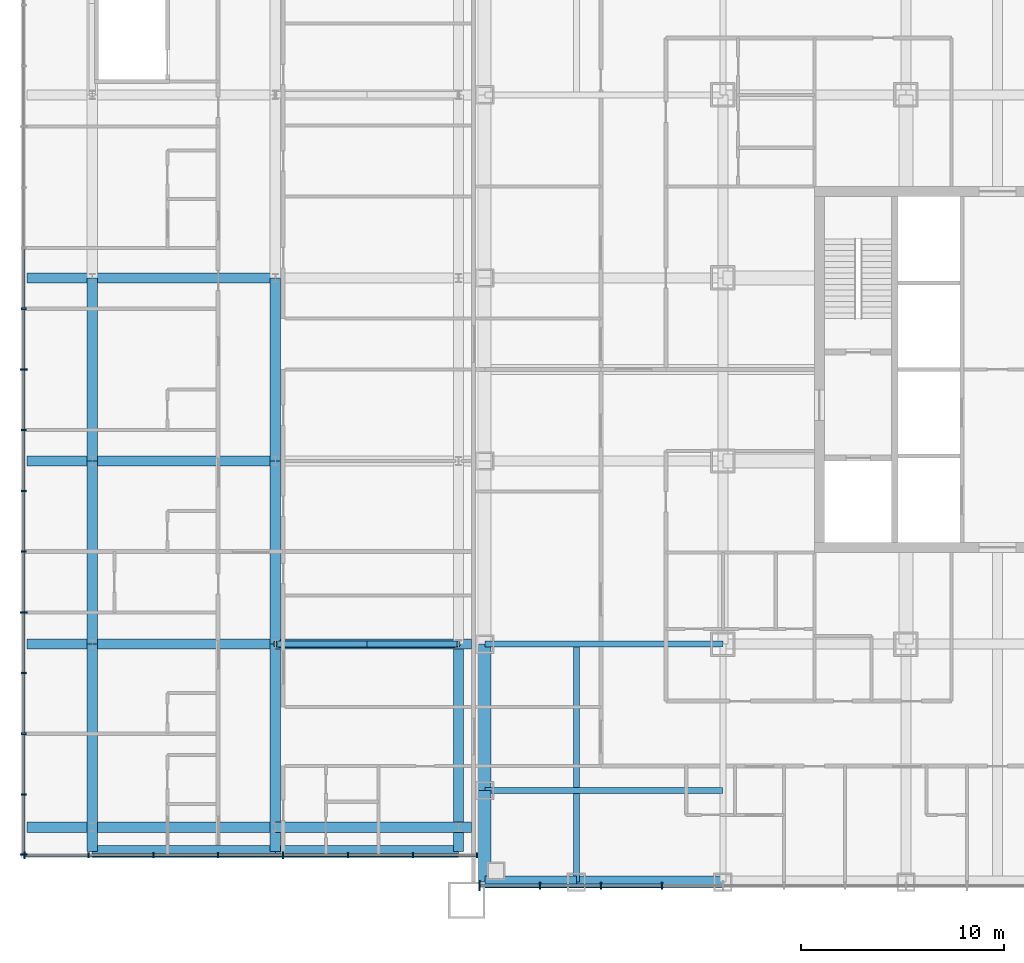
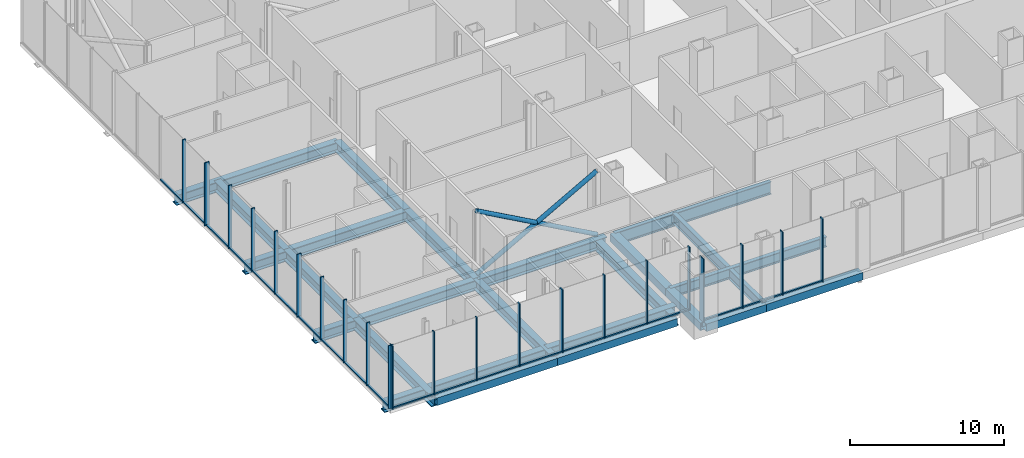
# One storey, part 5 of 28: 44 members, 22 beams, 3 elements without a shape of their own.
"""IFC4 building model written with IfcOpenShell, lengths in metres."""

from ifc_helpers import new_model, si_unit, direction, frame, origin, origin_2d, place, context, subcontext, project, spatial, rectangle, hollow_rectangle, hollow_circle, i_section, extrude, material, layer, layer_set, material_profile, profile_set, type_object, element, aggregate, save


model = new_model("IFC4")

# Units and contexts
model_context = context("Model", 3, precision=1e-05, world=origin(), true_north=direction((0.0, 1.0)))
body_context = subcontext(model_context, "Body", "Model", "MODEL_VIEW")
ifc_project = project(units=[si_unit("LENGTHUNIT", "METRE"), si_unit("AREAUNIT", "SQUARE_METRE"), si_unit("VOLUMEUNIT", "CUBIC_METRE"), si_unit("PLANEANGLEUNIT", "RADIAN"), si_unit("MASSUNIT", "GRAM", prefix="KILO")], contexts=[model_context])

# Site, building, storey
site_placement = place(None, origin())
site = spatial("IfcSite", under=ifc_project, at=site_placement, CompositionType="ELEMENT")
building_placement = place(site_placement, origin())
building = spatial("IfcBuilding", under=site, at=building_placement, Name="Malebo Sky Hospital", CompositionType="ELEMENT")
storey_placement = place(building_placement, frame((0.0, 0.0, 21.0)))
storey = spatial("IfcBuildingStorey", under=building, at=storey_placement, Name="L04", CompositionType="ELEMENT", Elevation=21.0)

# Curtain wall, members
ifc_material_1 = material(Name="Anodised aluminium, natural silver", Category="aluminium")
ifc_layer_1 = layer(ifc_material_1, 0.25)
ifc_layer_set_1 = layer_set([ifc_layer_1], Name="PODIUM CURTAIN WALL")
curtain_wall_type_1 = type_object("IfcCurtainWallType", Name="PODIUM CURTAIN WALL", PredefinedType="NOTDEFINED", material=ifc_layer_set_1)
curtain_wall_1_placement = place(storey_placement, origin())
curtain_wall_1 = element("IfcCurtainWall", 1, at=curtain_wall_1_placement, inside=storey, type_object=curtain_wall_type_1, Name="POD curtain wall WW", PredefinedType="NOTDEFINED")
ifc_material_profile_1 = material_profile(ifc_material_1, rectangle(XDim=0.14990234375, YDim=0.10009765625, at=origin_2d()), Name="ALUMINIUM TRANSOM 150x100")
ifc_profile_set_1 = profile_set([ifc_material_profile_1], Name="Anodised aluminium, natural silver")
member_type_1 = type_object("IfcMemberType", Name="ALUMINIUM TRANSOM 150x100", PredefinedType="USERDEFINED", material=ifc_profile_set_1)
member_1_placement = place(storey_placement, frame((12.125, 67.931396484375, 0.050048828125), z_axis=(0.0, -1.0, 0.0), x_axis=(1.0, 0.0, 0.0)))
member_1 = element("IfcMember", 2, at=member_1_placement, type_object=member_type_1, Name="Transom 7", ObjectType="TRANSOM", PredefinedType="USERDEFINED", context=body_context, shape_type="SweptSolid", body=[
    extrude(rectangle(XDim=0.14990234375, YDim=0.10009765625, at=origin_2d()), origin(), (0.0, 0.0, 1.0), 2.909423828125),
])
member_2_placement = place(storey_placement, frame((12.125, 64.947021484375, 0.050048828125), z_axis=(0.0, -1.0, 0.0), x_axis=(1.0, 0.0, 0.0)))
member_2 = element("IfcMember", 3, at=member_2_placement, type_object=member_type_1, Name="Transom 8", ObjectType="TRANSOM", PredefinedType="USERDEFINED", context=body_context, shape_type="SweptSolid", body=[
    extrude(rectangle(XDim=0.14990234375, YDim=0.10009765625, at=origin_2d()), origin(), (0.0, 0.0, 1.0), 2.909423828125),
])
member_3_placement = place(storey_placement, frame((12.125, 61.96240234375, 0.050048828125), z_axis=(0.0, -1.0, 0.0), x_axis=(1.0, 0.0, 0.0)))
member_3 = element("IfcMember", 4, at=member_3_placement, type_object=member_type_1, Name="Transom 9", ObjectType="TRANSOM", PredefinedType="USERDEFINED", context=body_context, shape_type="SweptSolid", body=[
    extrude(rectangle(XDim=0.14990234375, YDim=0.10009765625, at=origin_2d()), origin(), (0.0, 0.0, 1.0), 2.909423828125),
])
member_4_placement = place(storey_placement, frame((12.125, 58.97802734375, 0.050048828125), z_axis=(0.0, -1.0, 0.0), x_axis=(1.0, 0.0, 0.0)))
member_4 = element("IfcMember", 5, at=member_4_placement, type_object=member_type_1, Name="Transom 10", ObjectType="TRANSOM", PredefinedType="USERDEFINED", context=body_context, shape_type="SweptSolid", body=[
    extrude(rectangle(XDim=0.14990234375, YDim=0.10009765625, at=origin_2d()), origin(), (0.0, 0.0, 1.0), 2.909423828125),
])
member_5_placement = place(storey_placement, frame((12.125, 55.99365234375, 0.050048828125), z_axis=(0.0, -1.0, 0.0), x_axis=(1.0, 0.0, 0.0)))
member_5 = element("IfcMember", 6, at=member_5_placement, type_object=member_type_1, Name="Transom 11", ObjectType="TRANSOM", PredefinedType="USERDEFINED", context=body_context, shape_type="SweptSolid", body=[
    extrude(rectangle(XDim=0.14990234375, YDim=0.10009765625, at=origin_2d()), origin(), (0.0, 0.0, 1.0), 2.9091796875),
])
member_6_placement = place(storey_placement, frame((12.125, 53.009521484375, 0.050048828125), z_axis=(0.0, -1.0, 0.0), x_axis=(1.0, 0.0, 0.0)))
member_6 = element("IfcMember", 7, at=member_6_placement, type_object=member_type_1, Name="Transom 12", ObjectType="TRANSOM", PredefinedType="USERDEFINED", context=body_context, shape_type="SweptSolid", body=[
    extrude(rectangle(XDim=0.14990234375, YDim=0.10009765625, at=origin_2d()), origin(), (0.0, 0.0, 1.0), 2.909423828125),
])
member_7_placement = place(storey_placement, frame((12.125, 50.02490234375, 0.050048828125), z_axis=(0.0, -1.0, 0.0), x_axis=(1.0, 0.0, 0.0)))
member_7 = element("IfcMember", 8, at=member_7_placement, type_object=member_type_1, Name="Transom 13", ObjectType="TRANSOM", PredefinedType="USERDEFINED", context=body_context, shape_type="SweptSolid", body=[
    extrude(rectangle(XDim=0.14990234375, YDim=0.10009765625, at=origin_2d()), origin(), (0.0, 0.0, 1.0), 2.909423828125),
])
member_8_placement = place(storey_placement, frame((12.125, 47.04052734375, 0.050048828125), z_axis=(0.0, -1.0, 0.0), x_axis=(1.0, 0.0, 0.0)))
member_8 = element("IfcMember", 9, at=member_8_placement, type_object=member_type_1, Name="Transom 14", ObjectType="TRANSOM", PredefinedType="USERDEFINED", context=body_context, shape_type="SweptSolid", body=[
    extrude(rectangle(XDim=0.14990234375, YDim=0.10009765625, at=origin_2d()), origin(), (0.0, 0.0, 1.0), 2.9091796875),
])
member_9_placement = place(storey_placement, frame((12.125, 44.056396484375, 0.050048828125), z_axis=(0.0, -1.0, 0.0), x_axis=(1.0, 0.0, 0.0)))
member_9 = element("IfcMember", 10, at=member_9_placement, type_object=member_type_1, Name="Transom 15", ObjectType="TRANSOM", PredefinedType="USERDEFINED", context=body_context, shape_type="SweptSolid", body=[
    extrude(rectangle(XDim=0.14990234375, YDim=0.10009765625, at=origin_2d()), origin(), (0.0, 0.0, 1.0), 2.909423828125),
])
member_10_placement = place(storey_placement, frame((12.125, 41.072021484375, 0.050048828125), z_axis=(0.0, -1.0, 0.0), x_axis=(1.0, 0.0, 0.0)))
member_10 = element("IfcMember", 11, at=member_10_placement, type_object=member_type_1, Name="Transom 16", ObjectType="TRANSOM", PredefinedType="USERDEFINED", context=body_context, shape_type="SweptSolid", body=[
    extrude(rectangle(XDim=0.14990234375, YDim=0.10009765625, at=origin_2d()), origin(), (0.0, 0.0, 1.0), 2.8720703125),
])

curtain_wall_2_placement = place(storey_placement, origin())
curtain_wall_2 = element("IfcCurtainWall", 12, at=curtain_wall_2_placement, inside=storey, type_object=curtain_wall_type_1, Name="POD curtain wall WS", PredefinedType="NOTDEFINED")
member_11_placement = place(storey_placement, frame((12.199951171875, 38.125, 0.050048828125), z_axis=(1.0, 0.0, 0.0), x_axis=(0.0, 1.0, 0.0)))
member_11 = element("IfcMember", 13, at=member_11_placement, type_object=member_type_1, Name="Transom 1", ObjectType="TRANSOM", PredefinedType="USERDEFINED", context=body_context, shape_type="SweptSolid", body=[
    extrude(rectangle(XDim=0.14990234375, YDim=0.10009765625, at=origin_2d()), origin(), (0.0, 0.0, 1.0), 3.076904296875),
])
member_12_placement = place(storey_placement, frame((15.351806640625, 38.125, 0.050048828125), z_axis=(1.0, 0.0, 0.0), x_axis=(0.0, 1.0, 0.0)))
member_12 = element("IfcMember", 14, at=member_12_placement, type_object=member_type_1, Name="Transom 2", ObjectType="TRANSOM", PredefinedType="USERDEFINED", context=body_context, shape_type="SweptSolid", body=[
    extrude(rectangle(XDim=0.14990234375, YDim=0.10009765625, at=origin_2d()), origin(), (0.0, 0.0, 1.0), 3.1142578125),
])
member_13_placement = place(storey_placement, frame((18.541015625, 38.125, 0.050048828125), z_axis=(1.0, 0.0, 0.0), x_axis=(0.0, 1.0, 0.0)))
member_13 = element("IfcMember", 15, at=member_13_placement, type_object=member_type_1, Name="Transom 3", ObjectType="TRANSOM", PredefinedType="USERDEFINED", context=body_context, shape_type="SweptSolid", body=[
    extrude(rectangle(XDim=0.14990234375, YDim=0.10009765625, at=origin_2d()), origin(), (0.0, 0.0, 1.0), 3.114501953125),
])
member_14_placement = place(storey_placement, frame((21.73046875, 38.125, 0.050048828125), z_axis=(1.0, 0.0, 0.0), x_axis=(0.0, 1.0, 0.0)))
member_14 = element("IfcMember", 16, at=member_14_placement, type_object=member_type_1, Name="Transom 4", ObjectType="TRANSOM", PredefinedType="USERDEFINED", context=body_context, shape_type="SweptSolid", body=[
    extrude(rectangle(XDim=0.14990234375, YDim=0.10009765625, at=origin_2d()), origin(), (0.0, 0.0, 1.0), 3.114013671875),
])
member_15_placement = place(storey_placement, frame((24.919677734375, 38.125, 0.050048828125), z_axis=(1.0, 0.0, 0.0), x_axis=(0.0, 1.0, 0.0)))
member_15 = element("IfcMember", 17, at=member_15_placement, type_object=member_type_1, Name="Transom 5", ObjectType="TRANSOM", PredefinedType="USERDEFINED", context=body_context, shape_type="SweptSolid", body=[
    extrude(rectangle(XDim=0.14990234375, YDim=0.10009765625, at=origin_2d()), origin(), (0.0, 0.0, 1.0), 3.1142578125),
])
member_16_placement = place(storey_placement, frame((28.10888671875, 38.125, 0.050048828125), z_axis=(1.0, 0.0, 0.0), x_axis=(0.0, 1.0, 0.0)))
member_16 = element("IfcMember", 18, at=member_16_placement, type_object=member_type_1, Name="Transom 6", ObjectType="TRANSOM", PredefinedType="USERDEFINED", context=body_context, shape_type="SweptSolid", body=[
    extrude(rectangle(XDim=0.14990234375, YDim=0.10009765625, at=origin_2d()), origin(), (0.0, 0.0, 1.0), 3.1142578125),
])
member_17_placement = place(storey_placement, frame((31.298095703125, 38.125, 0.050048828125), z_axis=(1.0, 0.0, 0.0), x_axis=(0.0, 1.0, 0.0)))
member_17 = element("IfcMember", 19, at=member_17_placement, type_object=member_type_1, Name="Transom 7", ObjectType="TRANSOM", PredefinedType="USERDEFINED", context=body_context, shape_type="SweptSolid", body=[
    extrude(rectangle(XDim=0.14990234375, YDim=0.10009765625, at=origin_2d()), origin(), (0.0, 0.0, 1.0), 3.076904296875),
])

ifc_layer_2 = layer(ifc_material_1, 0.25)
ifc_layer_set_2 = layer_set([ifc_layer_2], Name="PODIUM ENTRANCE BAY CURTAIN WALL")
curtain_wall_type_2 = type_object("IfcCurtainWallType", Name="PODIUM ENTRANCE BAY CURTAIN WALL", PredefinedType="NOTDEFINED", material=ifc_layer_set_2)
curtain_wall_3_placement = place(storey_placement, origin())
curtain_wall_3 = element("IfcCurtainWall", 20, at=curtain_wall_3_placement, inside=storey, type_object=curtain_wall_type_2, Name="BAY curtain wall BS", PredefinedType="NOTDEFINED")
member_18_placement = place(storey_placement, frame((34.574951171875, 36.625, 0.050048828125), z_axis=(1.0, 0.0, 0.0), x_axis=(0.0, 1.0, 0.0)))
member_18 = element("IfcMember", 21, at=member_18_placement, type_object=member_type_1, Name="Transom 1", ObjectType="TRANSOM", PredefinedType="USERDEFINED", context=body_context, shape_type="SweptSolid", body=[
    extrude(rectangle(XDim=0.14990234375, YDim=0.10009765625, at=origin_2d()), origin(), (0.0, 0.0, 1.0), 2.887451171875),
])
member_19_placement = place(storey_placement, frame((37.53759765625, 36.625, 0.050048828125), z_axis=(1.0, 0.0, 0.0), x_axis=(0.0, 1.0, 0.0)))
member_19 = element("IfcMember", 22, at=member_19_placement, type_object=member_type_1, Name="Transom 2", ObjectType="TRANSOM", PredefinedType="USERDEFINED", context=body_context, shape_type="SweptSolid", body=[
    extrude(rectangle(XDim=0.14990234375, YDim=0.10009765625, at=origin_2d()), origin(), (0.0, 0.0, 1.0), 2.9248046875),
])
member_20_placement = place(storey_placement, frame((40.53759765625, 36.625, 0.050048828125), z_axis=(1.0, 0.0, 0.0), x_axis=(0.0, 1.0, 0.0)))
member_20 = element("IfcMember", 23, at=member_20_placement, type_object=member_type_1, Name="Transom 3", ObjectType="TRANSOM", PredefinedType="USERDEFINED", context=body_context, shape_type="SweptSolid", body=[
    extrude(rectangle(XDim=0.14990234375, YDim=0.10009765625, at=origin_2d()), origin(), (0.0, 0.0, 1.0), 2.9248046875),
])

# Member
ifc_material_profile_2 = material_profile(ifc_material_1, rectangle(XDim=0.074951171875, YDim=0.25, at=origin_2d()), Name="CW3 ALUMINIUM FIN MULLION 75x250")
ifc_profile_set_2 = profile_set([ifc_material_profile_2], Name="Anodised aluminium, natural silver")
member_type_2 = type_object("IfcMemberType", Name="CW3 ALUMINIUM FIN MULLION 75x250", PredefinedType="MULLION", material=ifc_profile_set_2)
member_21_placement = place(storey_placement, frame((12.125, 64.984375, 0.0), z_axis=(0.0, 0.0, 1.0), x_axis=(0.0, -1.0, 0.0)))
member_21 = element("IfcMember", 24, at=member_21_placement, type_object=member_type_2, Name="Fin mullion 8", PredefinedType="MULLION", context=body_context, shape_type="SweptSolid", body=[
    extrude(rectangle(XDim=0.074951171875, YDim=0.25, at=origin_2d()), origin(), (0.0, 0.0, 1.0), 5.0),
])

member_22_placement = place(storey_placement, frame((12.125, 59.015625, 0.0), z_axis=(0.0, 0.0, 1.0), x_axis=(0.0, -1.0, 0.0)))
member_22 = element("IfcMember", 25, at=member_22_placement, type_object=member_type_2, Name="Fin mullion 10", PredefinedType="MULLION", context=body_context, shape_type="SweptSolid", body=[
    extrude(rectangle(XDim=0.074951171875, YDim=0.25, at=origin_2d()), origin(), (0.0, 0.0, 1.0), 5.0),
])

member_23_placement = place(storey_placement, frame((12.125, 56.03125, 0.0), z_axis=(0.0, 0.0, 1.0), x_axis=(0.0, -1.0, 0.0)))
member_23 = element("IfcMember", 26, at=member_23_placement, type_object=member_type_2, Name="Fin mullion 11", PredefinedType="MULLION", context=body_context, shape_type="SweptSolid", body=[
    extrude(rectangle(XDim=0.074951171875, YDim=0.25, at=origin_2d()), origin(), (0.0, 0.0, 1.0), 5.0),
])

member_24_placement = place(storey_placement, frame((12.125, 53.046875, 0.0), z_axis=(0.0, 0.0, 1.0), x_axis=(0.0, -1.0, 0.0)))
member_24 = element("IfcMember", 27, at=member_24_placement, type_object=member_type_2, Name="Fin mullion 12", PredefinedType="MULLION", context=body_context, shape_type="SweptSolid", body=[
    extrude(rectangle(XDim=0.074951171875, YDim=0.25, at=origin_2d()), origin(), (0.0, 0.0, 1.0), 5.0),
])

member_25_placement = place(storey_placement, frame((12.125, 47.078125, 0.0), z_axis=(0.0, 0.0, 1.0), x_axis=(0.0, -1.0, 0.0)))
member_25 = element("IfcMember", 28, at=member_25_placement, type_object=member_type_2, Name="Fin mullion 14", PredefinedType="MULLION", context=body_context, shape_type="SweptSolid", body=[
    extrude(rectangle(XDim=0.074951171875, YDim=0.25, at=origin_2d()), origin(), (0.0, 0.0, 1.0), 5.0),
])

member_26_placement = place(storey_placement, frame((12.125, 44.09375, 0.0), z_axis=(0.0, 0.0, 1.0), x_axis=(0.0, -1.0, 0.0)))
member_26 = element("IfcMember", 29, at=member_26_placement, type_object=member_type_2, Name="Fin mullion 15", PredefinedType="MULLION", context=body_context, shape_type="SweptSolid", body=[
    extrude(rectangle(XDim=0.074951171875, YDim=0.25, at=origin_2d()), origin(), (0.0, 0.0, 1.0), 5.0),
])

member_27_placement = place(storey_placement, frame((12.125, 41.109375, 0.0), z_axis=(0.0, 0.0, 1.0), x_axis=(0.0, -1.0, 0.0)))
member_27 = element("IfcMember", 30, at=member_27_placement, type_object=member_type_2, Name="Fin mullion 16", PredefinedType="MULLION", context=body_context, shape_type="SweptSolid", body=[
    extrude(rectangle(XDim=0.074951171875, YDim=0.25, at=origin_2d()), origin(), (0.0, 0.0, 1.0), 5.0),
])

member_28_placement = place(storey_placement, frame((15.314208984375, 38.125, 0.0), z_axis=(0.0, 0.0, 1.0), x_axis=(1.0, 0.0, 0.0)))
member_28 = element("IfcMember", 31, at=member_28_placement, type_object=member_type_2, Name="Fin mullion 2", PredefinedType="MULLION", context=body_context, shape_type="SweptSolid", body=[
    extrude(rectangle(XDim=0.074951171875, YDim=0.25, at=origin_2d()), origin(), (0.0, 0.0, 1.0), 5.0),
])

member_29_placement = place(storey_placement, frame((18.503662109375, 38.125, 0.0), z_axis=(0.0, 0.0, 1.0), x_axis=(1.0, 0.0, 0.0)))
member_29 = element("IfcMember", 32, at=member_29_placement, type_object=member_type_2, Name="Fin mullion 3", PredefinedType="MULLION", context=body_context, shape_type="SweptSolid", body=[
    extrude(rectangle(XDim=0.074951171875, YDim=0.25, at=origin_2d()), origin(), (0.0, 0.0, 1.0), 5.0),
])

member_30_placement = place(storey_placement, frame((21.69287109375, 38.125, 0.0), z_axis=(0.0, 0.0, 1.0), x_axis=(1.0, 0.0, 0.0)))
member_30 = element("IfcMember", 33, at=member_30_placement, type_object=member_type_2, Name="Fin mullion 4", PredefinedType="MULLION", context=body_context, shape_type="SweptSolid", body=[
    extrude(rectangle(XDim=0.074951171875, YDim=0.25, at=origin_2d()), origin(), (0.0, 0.0, 1.0), 5.0),
])

member_31_placement = place(storey_placement, frame((28.0712890625, 38.125, 0.0), z_axis=(0.0, 0.0, 1.0), x_axis=(1.0, 0.0, 0.0)))
member_31 = element("IfcMember", 34, at=member_31_placement, type_object=member_type_2, Name="Fin mullion 6", PredefinedType="MULLION", context=body_context, shape_type="SweptSolid", body=[
    extrude(rectangle(XDim=0.074951171875, YDim=0.25, at=origin_2d()), origin(), (0.0, 0.0, 1.0), 5.0),
])

member_32_placement = place(storey_placement, frame((31.2607421875, 38.125, 0.0), z_axis=(0.0, 0.0, 1.0), x_axis=(1.0, 0.0, 0.0)))
member_32 = element("IfcMember", 35, at=member_32_placement, type_object=member_type_2, Name="Fin mullion 7", PredefinedType="MULLION", context=body_context, shape_type="SweptSolid", body=[
    extrude(rectangle(XDim=0.074951171875, YDim=0.25, at=origin_2d()), origin(), (0.0, 0.0, 1.0), 5.0),
])

member_33_placement = place(storey_placement, frame((34.41259765625, 38.125, 0.0), z_axis=(0.0, 0.0, 1.0), x_axis=(1.0, 0.0, 0.0)))
member_33 = element("IfcMember", 36, at=member_33_placement, type_object=member_type_2, Name="Fin mullion 8", PredefinedType="MULLION", context=body_context, shape_type="SweptSolid", body=[
    extrude(rectangle(XDim=0.074951171875, YDim=0.25, at=origin_2d()), origin(), (0.0, 0.0, 1.0), 5.0),
])

ifc_material_profile_3 = material_profile(ifc_material_1, rectangle(XDim=0.074951171875, YDim=0.35009765625, at=origin_2d()), Name="CW3 ALUMINIUM FIN MULLION 75x350")
ifc_profile_set_3 = profile_set([ifc_material_profile_3], Name="Anodised aluminium, natural silver")
member_type_3 = type_object("IfcMemberType", Name="CW3 ALUMINIUM FIN MULLION 75x350", PredefinedType="MULLION", material=ifc_profile_set_3)
member_34_placement = place(storey_placement, frame((12.125, 62.0, 0.0), z_axis=(0.0, 0.0, 1.0), x_axis=(0.0, -1.0, 0.0)))
member_34 = element("IfcMember", 37, at=member_34_placement, type_object=member_type_3, Name="Fin mullion 9", PredefinedType="MULLION", context=body_context, shape_type="SweptSolid", body=[
    extrude(rectangle(XDim=0.074951171875, YDim=0.35009765625, at=origin_2d()), origin(), (0.0, 0.0, 1.0), 5.0),
])

member_35_placement = place(storey_placement, frame((12.125, 50.0625, 0.0), z_axis=(0.0, 0.0, 1.0), x_axis=(0.0, -1.0, 0.0)))
member_35 = element("IfcMember", 38, at=member_35_placement, type_object=member_type_3, Name="Fin mullion 13", PredefinedType="MULLION", context=body_context, shape_type="SweptSolid", body=[
    extrude(rectangle(XDim=0.074951171875, YDim=0.35009765625, at=origin_2d()), origin(), (0.0, 0.0, 1.0), 5.0),
])

member_36_placement = place(storey_placement, frame((12.125, 38.16259765625, 0.0), z_axis=(0.0, 0.0, 1.0), x_axis=(0.0, -1.0, 0.0)))
member_36 = element("IfcMember", 39, at=member_36_placement, type_object=member_type_3, Name="Fin mullion 17", PredefinedType="MULLION", context=body_context, shape_type="SweptSolid", body=[
    extrude(rectangle(XDim=0.074951171875, YDim=0.35009765625, at=origin_2d()), origin(), (0.0, 0.0, 1.0), 5.0),
])

aggregate(curtain_wall_1, [member_21, member_34, member_22, member_23, member_24, member_35, member_25, member_26, member_27, member_36, member_1, member_2, member_3, member_4, member_5, member_6, member_7, member_8, member_9, member_10])

member_37_placement = place(storey_placement, frame((12.16259765625, 38.125, 0.0), z_axis=(0.0, 0.0, 1.0), x_axis=(1.0, 0.0, 0.0)))
member_37 = element("IfcMember", 40, at=member_37_placement, type_object=member_type_3, Name="Fin mullion 1", PredefinedType="MULLION", context=body_context, shape_type="SweptSolid", body=[
    extrude(rectangle(XDim=0.074951171875, YDim=0.35009765625, at=origin_2d()), origin(), (0.0, 0.0, 1.0), 5.0),
])

member_38_placement = place(storey_placement, frame((24.882080078125, 38.125, 0.0), z_axis=(0.0, 0.0, 1.0), x_axis=(1.0, 0.0, 0.0)))
member_38 = element("IfcMember", 41, at=member_38_placement, type_object=member_type_3, Name="Fin mullion 5", PredefinedType="MULLION", context=body_context, shape_type="SweptSolid", body=[
    extrude(rectangle(XDim=0.074951171875, YDim=0.35009765625, at=origin_2d()), origin(), (0.0, 0.0, 1.0), 5.0),
])

aggregate(curtain_wall_2, [member_37, member_28, member_29, member_30, member_38, member_31, member_32, member_33, member_11, member_12, member_13, member_14, member_15, member_16, member_17])

ifc_material_profile_4 = material_profile(ifc_material_1, rectangle(XDim=0.074951171875, YDim=0.35009765625, at=origin_2d()), Name="CW4 ALUMINIUM FIN MULLION 75x350")
ifc_profile_set_4 = profile_set([ifc_material_profile_4], Name="Anodised aluminium, natural silver")
member_type_4 = type_object("IfcMemberType", Name="CW4 ALUMINIUM FIN MULLION 75x350", PredefinedType="MULLION", material=ifc_profile_set_4)
member_39_placement = place(storey_placement, frame((37.5, 36.625, 0.0), z_axis=(0.0, 0.0, 1.0), x_axis=(1.0, 0.0, 0.0)))
member_39 = element("IfcMember", 42, at=member_39_placement, type_object=member_type_4, Name="Fin mullion 2", PredefinedType="MULLION", context=body_context, shape_type="SweptSolid", body=[
    extrude(rectangle(XDim=0.074951171875, YDim=0.35009765625, at=origin_2d()), origin(), (0.0, 0.0, 1.0), 5.0),
])

member_40_placement = place(storey_placement, frame((40.5, 36.625, 0.0), z_axis=(0.0, 0.0, 1.0), x_axis=(1.0, 0.0, 0.0)))
member_40 = element("IfcMember", 43, at=member_40_placement, type_object=member_type_4, Name="Fin mullion 3", PredefinedType="MULLION", context=body_context, shape_type="SweptSolid", body=[
    extrude(rectangle(XDim=0.074951171875, YDim=0.35009765625, at=origin_2d()), origin(), (0.0, 0.0, 1.0), 5.0),
])

member_41_placement = place(storey_placement, frame((43.5, 36.625, 0.0), z_axis=(0.0, 0.0, 1.0), x_axis=(1.0, 0.0, 0.0)))
member_41 = element("IfcMember", 44, at=member_41_placement, type_object=member_type_4, Name="Fin mullion 4", PredefinedType="MULLION", context=body_context, shape_type="SweptSolid", body=[
    extrude(rectangle(XDim=0.074951171875, YDim=0.35009765625, at=origin_2d()), origin(), (0.0, 0.0, 1.0), 5.0),
])

ifc_material_profile_5 = material_profile(ifc_material_1, rectangle(XDim=0.074951171875, YDim=0.5, at=origin_2d()), Name="CW4 ALUMINIUM FIN MULLION 75x500")
ifc_profile_set_5 = profile_set([ifc_material_profile_5], Name="Anodised aluminium, natural silver")
member_type_5 = type_object("IfcMemberType", Name="CW4 ALUMINIUM FIN MULLION 75x500", PredefinedType="MULLION", material=ifc_profile_set_5)
member_42_placement = place(storey_placement, frame((34.53759765625, 36.625, 0.0), z_axis=(0.0, 0.0, 1.0), x_axis=(1.0, 0.0, 0.0)))
member_42 = element("IfcMember", 45, at=member_42_placement, type_object=member_type_5, Name="Fin mullion 1", PredefinedType="MULLION", context=body_context, shape_type="SweptSolid", body=[
    extrude(rectangle(XDim=0.074951171875, YDim=0.5, at=origin_2d()), origin(), (0.0, 0.0, 1.0), 5.0),
])

aggregate(curtain_wall_3, [member_42, member_39, member_40, member_41, member_18, member_19, member_20])

# Beams
ifc_material_2 = material(Name="Steel S460", Category="steel")
ifc_material_profile_6 = material_profile(ifc_material_2, hollow_rectangle(XDim=0.60009765625, YDim=0.60009765625, WallThickness=0.0400390625, at=origin_2d()), Name="BOX 600x600x40")
ifc_profile_set_6 = profile_set([ifc_material_profile_6], Name="Steel S460")
beam_type_1 = type_object("IfcBeamType", Name="EDGE BEAM BOX 600x600x40", PredefinedType="BEAM", material=ifc_profile_set_6)
beam_1_placement = place(storey_placement, frame((34.800048828125, 36.800048828125, -0.60009765625), z_axis=(0.0, 1.0, 0.0), x_axis=(-1.0, 0.0, 0.0)))
element("IfcBeam", 46, at=beam_1_placement, inside=storey, type_object=beam_type_1, Name="Beam 000 L04", PredefinedType="BEAM", context=body_context, shape_type="SweptSolid", body=[
    extrude(hollow_rectangle(XDim=0.60009765625, YDim=0.60009765625, WallThickness=0.0400390625, at=origin_2d()), origin(), (0.0, 0.0, 1.0), 4.5),
])
beam_2_placement = place(storey_placement, frame((34.800048828125, 41.300048828125, -0.60009765625), z_axis=(0.0, 1.0, 0.0), x_axis=(-1.0, 0.0, 0.0)))
element("IfcBeam", 47, at=beam_2_placement, inside=storey, type_object=beam_type_1, Name="Beam 001 L04", PredefinedType="BEAM", context=body_context, shape_type="SweptSolid", body=[
    extrude(hollow_rectangle(XDim=0.60009765625, YDim=0.60009765625, WallThickness=0.0400390625, at=origin_2d()), origin(), (0.0, 0.0, 1.0), 7.199951171875),
])
beam_3_placement = place(storey_placement, frame((34.800048828125, 36.800048828125, -0.60009765625), z_axis=(1.0, 0.0, 0.0), x_axis=(0.0, 1.0, 0.0)))
element("IfcBeam", 48, at=beam_3_placement, inside=storey, type_object=beam_type_1, Name="Beam 038 L04", PredefinedType="BEAM", context=body_context, shape_type="SweptSolid", body=[
    extrude(hollow_rectangle(XDim=0.60009765625, YDim=0.60009765625, WallThickness=0.0400390625, at=origin_2d()), origin(), (0.0, 0.0, 1.0), 4.5),
])
beam_4_placement = place(storey_placement, frame((39.300048828125, 36.800048828125, -0.60009765625), z_axis=(1.0, 0.0, 0.0), x_axis=(0.0, 1.0, 0.0)))
element("IfcBeam", 49, at=beam_4_placement, inside=storey, type_object=beam_type_1, Name="Beam 039 L04", PredefinedType="BEAM", context=body_context, shape_type="SweptSolid", body=[
    extrude(hollow_rectangle(XDim=0.60009765625, YDim=0.60009765625, WallThickness=0.0400390625, at=origin_2d()), origin(), (0.0, 0.0, 1.0), 7.199951171875),
])
for number, where, z_axis, x_axis, name in (
    (50, (15.5, 38.300048828125, -0.60009765625), (1.0, 0.0, 0.0), (0.0, 1.0, 0.0), "Beam W028 L04"),
    (51, (24.5, 38.300048828125, -0.60009765625), (1.0, 0.0, 0.0), (0.0, 1.0, 0.0), "Beam W029 L04"),
):
    element("IfcBeam", number, at=place(storey_placement, frame(where, z_axis=z_axis, x_axis=x_axis)), inside=storey, type_object=beam_type_1, Name=name, PredefinedType="BEAM", context=body_context, shape_type="SweptSolid", body=[
        extrude(hollow_rectangle(XDim=0.60009765625, YDim=0.60009765625, WallThickness=0.0400390625, at=origin_2d()), origin(), (0.0, 0.0, 1.0), 9.0),
    ])
ifc_material_3 = material(Name="Steel S355", Category="steel")
ifc_material_profile_7 = material_profile(ifc_material_3, i_section(OverallWidth=0.300048828125, OverallDepth=0.800048828125, WebThickness=0.017578125, FlangeThickness=0.032958984375, FilletRadius=0.030029296875, at=origin_2d()), Name="HEB 800")
ifc_profile_set_7 = profile_set([ifc_material_profile_7], Name="Steel S355")
beam_type_2 = type_object("IfcBeamType", Name="FLOOR BEAM HEB 800", PredefinedType="BEAM", material=ifc_profile_set_7)
for number, where, z_axis, x_axis, name in (
    (52, (39.300048828125, 36.800048828125, -0.699951171875), (0.0, 1.0, 0.0), (-1.0, 0.0, 0.0), "Beam 007 L04"),
    (53, (34.800048828125, 41.300048828125, -0.699951171875), (1.0, 0.0, 0.0), (0.0, 1.0, 0.0), "Beam 045 L04"),
):
    element("IfcBeam", number, at=place(storey_placement, frame(where, z_axis=z_axis, x_axis=x_axis)), inside=storey, type_object=beam_type_2, Name=name, PredefinedType="BEAM", context=body_context, shape_type="SweptSolid", body=[
        extrude(i_section(OverallWidth=0.300048828125, OverallDepth=0.800048828125, WebThickness=0.017578125, FlangeThickness=0.032958984375, FilletRadius=0.030029296875, at=origin_2d()), origin(), (0.0, 0.0, 1.0), 11.699951171875),
    ])
ifc_material_profile_8 = material_profile(ifc_material_3, i_section(OverallWidth=0.5, OverallDepth=0.800048828125, WebThickness=0.030029296875, FlangeThickness=0.050048828125, at=origin_2d()), Name="PG 800x500x30x50")
ifc_profile_set_8 = profile_set([ifc_material_profile_8], Name="Steel S355")
beam_type_3 = type_object("IfcBeamType", Name="FLOOR BEAM PG 800x500x30x50", PredefinedType="BEAM", material=ifc_profile_set_8)
beam_5_placement = place(storey_placement, frame((15.5, 38.300048828125, -0.699951171875), z_axis=(0.0, 1.0, 0.0), x_axis=(-1.0, 0.0, 0.0)))
element("IfcBeam", 54, at=beam_5_placement, inside=storey, type_object=beam_type_3, Name="Beam W001 L04", PredefinedType="BEAM", context=body_context, shape_type="SweptSolid", body=[
    extrude(i_section(OverallWidth=0.5, OverallDepth=0.800048828125, WebThickness=0.030029296875, FlangeThickness=0.050048828125, at=origin_2d()), origin(), (0.0, 0.0, 1.0), 10.199951171875),
])
for number, where, z_axis, x_axis, name in (
    (55, (15.5, 48.5, -0.699951171875), (0.0, 1.0, 0.0), (-1.0, 0.0, 0.0), "Beam W002 L04"),
    (56, (15.5, 57.5, -0.699951171875), (0.0, 1.0, 0.0), (-1.0, 0.0, 0.0), "Beam W003 L04"),
):
    element("IfcBeam", number, at=place(storey_placement, frame(where, z_axis=z_axis, x_axis=x_axis)), inside=storey, type_object=beam_type_3, Name=name, PredefinedType="BEAM", context=body_context, shape_type="SweptSolid", body=[
        extrude(i_section(OverallWidth=0.5, OverallDepth=0.800048828125, WebThickness=0.030029296875, FlangeThickness=0.050048828125, at=origin_2d()), origin(), (0.0, 0.0, 1.0), 9.0),
    ])
beam_6_placement = place(storey_placement, frame((24.5, 38.300048828125, -0.699951171875), z_axis=(0.0, 1.0, 0.0), x_axis=(-1.0, 0.0, 0.0)))
element("IfcBeam", 57, at=beam_6_placement, inside=storey, type_object=beam_type_3, Name="Beam W006 L04", PredefinedType="BEAM", context=body_context, shape_type="SweptSolid", body=[
    extrude(i_section(OverallWidth=0.5, OverallDepth=0.800048828125, WebThickness=0.030029296875, FlangeThickness=0.050048828125, at=origin_2d()), origin(), (0.0, 0.0, 1.0), 10.199951171875),
])
for number, where, z_axis, x_axis, name in (
    (58, (24.5, 48.5, -0.699951171875), (0.0, 1.0, 0.0), (-1.0, 0.0, 0.0), "Beam W007 L04"),
    (59, (24.5, 57.5, -0.699951171875), (0.0, 1.0, 0.0), (-1.0, 0.0, 0.0), "Beam W008 L04"),
):
    element("IfcBeam", number, at=place(storey_placement, frame(where, z_axis=z_axis, x_axis=x_axis)), inside=storey, type_object=beam_type_3, Name=name, PredefinedType="BEAM", context=body_context, shape_type="SweptSolid", body=[
        extrude(i_section(OverallWidth=0.5, OverallDepth=0.800048828125, WebThickness=0.030029296875, FlangeThickness=0.050048828125, at=origin_2d()), origin(), (0.0, 0.0, 1.0), 9.0),
    ])
beam_7_placement = place(storey_placement, frame((33.5, 38.300048828125, -0.699951171875), z_axis=(0.0, 1.0, 0.0), x_axis=(-1.0, 0.0, 0.0)))
element("IfcBeam", 60, at=beam_7_placement, inside=storey, type_object=beam_type_3, Name="Beam W011 L04", PredefinedType="BEAM", context=body_context, shape_type="SweptSolid", body=[
    extrude(i_section(OverallWidth=0.5, OverallDepth=0.800048828125, WebThickness=0.030029296875, FlangeThickness=0.050048828125, at=origin_2d()), origin(), (0.0, 0.0, 1.0), 10.199951171875),
])
beam_8_placement = place(storey_placement, frame((12.300048828125, 39.5, -0.699951171875), z_axis=(1.0, 0.0, 0.0), x_axis=(0.0, 1.0, 0.0)))
element("IfcBeam", 61, at=beam_8_placement, inside=storey, type_object=beam_type_3, Name="Beam W016 L04", PredefinedType="BEAM", context=body_context, shape_type="SweptSolid", body=[
    extrude(i_section(OverallWidth=0.5, OverallDepth=0.800048828125, WebThickness=0.030029296875, FlangeThickness=0.050048828125, at=origin_2d()), origin(), (0.0, 0.0, 1.0), 12.199951171875),
])
beam_9_placement = place(storey_placement, frame((24.5, 39.5, -0.699951171875), z_axis=(1.0, 0.0, 0.0), x_axis=(0.0, 1.0, 0.0)))
element("IfcBeam", 62, at=beam_9_placement, inside=storey, type_object=beam_type_3, Name="Beam W017 L04", PredefinedType="BEAM", context=body_context, shape_type="SweptSolid", body=[
    extrude(i_section(OverallWidth=0.5, OverallDepth=0.800048828125, WebThickness=0.030029296875, FlangeThickness=0.050048828125, at=origin_2d()), origin(), (0.0, 0.0, 1.0), 9.64990234375),
])
beam_10_placement = place(storey_placement, frame((12.300048828125, 48.5, -0.699951171875), z_axis=(1.0, 0.0, 0.0), x_axis=(0.0, 1.0, 0.0)))
element("IfcBeam", 63, at=beam_10_placement, inside=storey, type_object=beam_type_3, Name="Beam W018 L04", PredefinedType="BEAM", context=body_context, shape_type="SweptSolid", body=[
    extrude(i_section(OverallWidth=0.5, OverallDepth=0.800048828125, WebThickness=0.030029296875, FlangeThickness=0.050048828125, at=origin_2d()), origin(), (0.0, 0.0, 1.0), 12.199951171875),
])
beam_11_placement = place(storey_placement, frame((24.5, 48.5, -0.699951171875), z_axis=(1.0, 0.0, 0.0), x_axis=(0.0, 1.0, 0.0)))
element("IfcBeam", 64, at=beam_11_placement, inside=storey, type_object=beam_type_3, Name="Beam W019 L04", PredefinedType="BEAM", context=body_context, shape_type="SweptSolid", body=[
    extrude(i_section(OverallWidth=0.5, OverallDepth=0.800048828125, WebThickness=0.030029296875, FlangeThickness=0.050048828125, at=origin_2d()), origin(), (0.0, 0.0, 1.0), 9.64990234375),
])
for number, where, z_axis, x_axis, name in (
    (65, (12.300048828125, 57.5, -0.699951171875), (1.0, 0.0, 0.0), (0.0, 1.0, 0.0), "Beam W020 L04"),
    (66, (12.300048828125, 66.5, -0.699951171875), (1.0, 0.0, 0.0), (0.0, 1.0, 0.0), "Beam W022 L04"),
):
    element("IfcBeam", number, at=place(storey_placement, frame(where, z_axis=z_axis, x_axis=x_axis)), inside=storey, type_object=beam_type_3, Name=name, PredefinedType="BEAM", context=body_context, shape_type="SweptSolid", body=[
        extrude(i_section(OverallWidth=0.5, OverallDepth=0.800048828125, WebThickness=0.030029296875, FlangeThickness=0.050048828125, at=origin_2d()), origin(), (0.0, 0.0, 1.0), 12.199951171875),
    ])
ifc_material_profile_9 = material_profile(ifc_material_3, i_section(OverallWidth=0.300048828125, OverallDepth=1.0, WebThickness=0.01904296875, FlangeThickness=0.035888671875, FilletRadius=0.030029296875, at=origin_2d()), Name="HEB 1000")
ifc_profile_set_9 = profile_set([ifc_material_profile_9], Name="Steel S355")
beam_type_4 = type_object("IfcBeamType", Name="FLOOR GIRDER HEB 1000", PredefinedType="BEAM", material=ifc_profile_set_9)
beam_12_placement = place(storey_placement, frame((34.800048828125, 48.5, -0.800048828125), z_axis=(1.0, 0.0, 0.0), x_axis=(0.0, 1.0, 0.0)))
element("IfcBeam", 67, at=beam_12_placement, inside=storey, type_object=beam_type_4, Name="Beam 047 L04", PredefinedType="BEAM", context=body_context, shape_type="SweptSolid", body=[
    extrude(i_section(OverallWidth=0.300048828125, OverallDepth=1.0, WebThickness=0.01904296875, FlangeThickness=0.035888671875, FilletRadius=0.030029296875, at=origin_2d()), origin(), (0.0, 0.0, 1.0), 11.699951171875),
])

# Members
ifc_material_profile_10 = material_profile(ifc_material_2, hollow_circle(Radius=0.161865234375, WallThickness=0.012451171875, at=origin_2d()), Name="CHS 323.9x12.5")
ifc_profile_set_10 = profile_set([ifc_material_profile_10], Name="Steel S460")
member_type_6 = type_object("IfcMemberType", Name="WING BRACE CHS 323.9x12.5", PredefinedType="BRACE", material=ifc_profile_set_10)
for number, where, z_axis, x_axis, name in (
    (68, (24.5, 48.5, 0.0), (0.874157276122, 0.0, 0.485642931179), (0.0, 1.0, 0.0), "Wing brace W2.1 L04"),
    (69, (33.5, 48.5, 0.0), (-0.874157276122, 0.0, 0.485642931179), (0.0, -1.0, 0.0), "Wing brace W2.2 L04"),
):
    element("IfcMember", number, at=place(storey_placement, frame(where, z_axis=z_axis, x_axis=x_axis)), inside=storey, type_object=member_type_6, Name=name, PredefinedType="BRACE", context=body_context, shape_type="SweptSolid", body=[
        extrude(hollow_circle(Radius=0.161865234375, WallThickness=0.012451171875, at=origin_2d()), origin(), (0.0, 0.0, 1.0), 10.295654296875),
    ])

save(model, "model.ifc")
